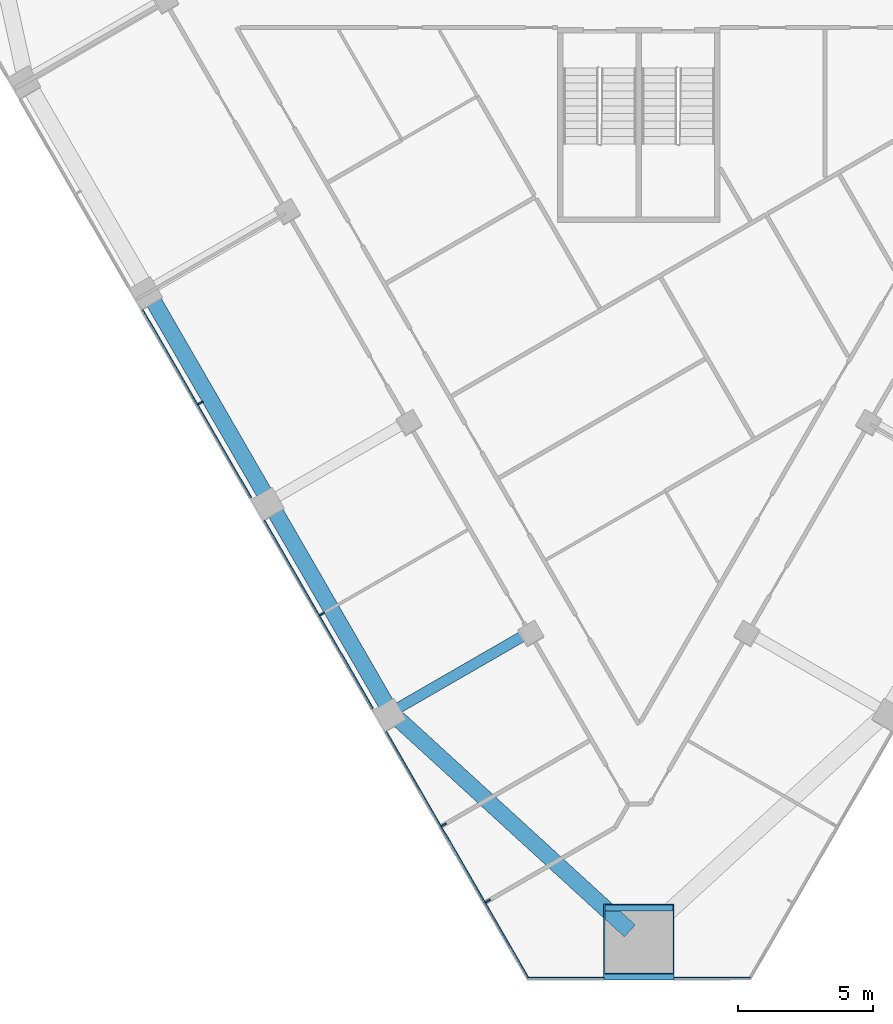
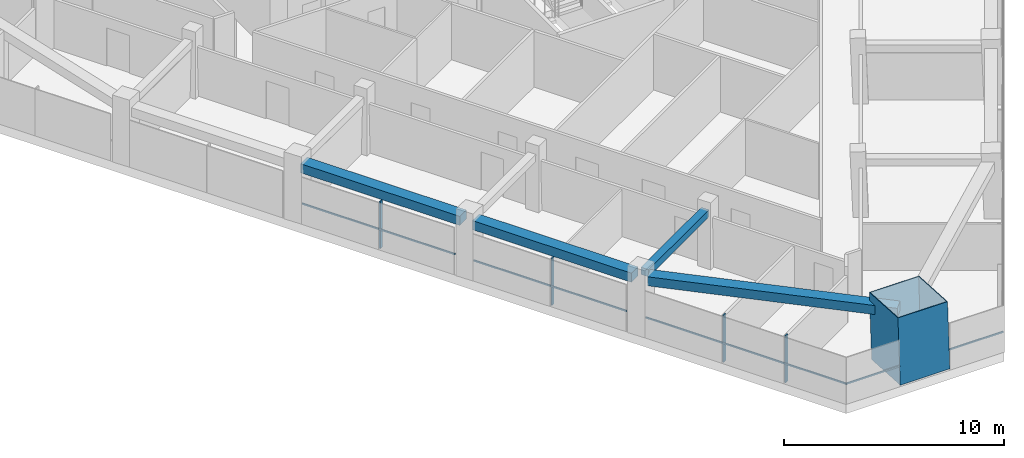
# One storey, part 2 of 14: 10 members, 4 beams, 2 elements without a shape of their own.
"""IFC4 building model written with IfcOpenShell, lengths in metres."""

from ifc_helpers import new_model, si_unit, direction, frame, origin, origin_2d, place, context, subcontext, project, spatial, rectangle, hollow_rectangle, extrude, material, layer, layer_set, material_profile, profile_set, type_object, element, aggregate, save


model = new_model("IFC4")

# Units and contexts
model_context = context("Model", 3, precision=1e-05, world=origin(), true_north=direction((0.0, 1.0)))
body_context = subcontext(model_context, "Body", "Model", "MODEL_VIEW")
ifc_project = project(units=[si_unit("LENGTHUNIT", "METRE"), si_unit("AREAUNIT", "SQUARE_METRE"), si_unit("VOLUMEUNIT", "CUBIC_METRE"), si_unit("PLANEANGLEUNIT", "RADIAN"), si_unit("MASSUNIT", "GRAM", prefix="KILO")], contexts=[model_context])

# Site, building, storey
site_placement = place(None, origin())
site = spatial("IfcSite", under=ifc_project, at=site_placement, CompositionType="ELEMENT")
building_placement = place(site_placement, origin())
building = spatial("IfcBuilding", under=site, at=building_placement, Name="Altiplano Prism Tower", CompositionType="ELEMENT")
storey_placement = place(building_placement, frame((0.0, 0.0, 108.0)))
storey = spatial("IfcBuildingStorey", under=building, at=storey_placement, Name="L27", CompositionType="ELEMENT", Elevation=108.0)

# Curtain wall, members
ifc_material_1 = material(Name="Aluminium and glass", Category="aluminium")
ifc_layer = layer(ifc_material_1, 0.303955078125)
ifc_layer_set = layer_set([ifc_layer], Name="Aluminium and glass")
curtain_wall_type = type_object("IfcCurtainWallType", Name="CW2 lounge-band unitised glazing", PredefinedType="NOTDEFINED", material=ifc_layer_set)
curtain_wall_1_placement = place(storey_placement, origin())
curtain_wall_1 = element("IfcCurtainWall", 1, at=curtain_wall_1_placement, inside=storey, type_object=curtain_wall_type, Name="CW2 curtain wall south-west face L27", PredefinedType="NOTDEFINED")
ifc_material_2 = material(Name="Aluminium", Category="aluminium")
ifc_material_profile_1 = material_profile(ifc_material_2, rectangle(XDim=0.199951171875, YDim=0.06005859375, at=origin_2d()), Name="CW2 mullion 60 x 200")
ifc_profile_set_1 = profile_set([ifc_material_profile_1], Name="Aluminium")
member_type_1 = type_object("IfcMemberType", Name="CW2 mullion 60 x 200", PredefinedType="MULLION", material=ifc_profile_set_1)
member_1_placement = place(storey_placement, frame((68.789794921875, 76.71923828125, 0.0), z_axis=(0.0, 0.0, 1.0), x_axis=(0.866025409675, 0.499999989797, 0.0)))
member_1 = element("IfcMember", 2, at=member_1_placement, type_object=member_type_1, Name="CW2 mullion", PredefinedType="MULLION", context=body_context, shape_type="SweptSolid", body=[
    extrude(rectangle(XDim=0.199951171875, YDim=0.06005859375, at=origin_2d()), origin(), (0.0, 0.0, 1.0), 2.60009765625),
])
member_2_placement = place(storey_placement, frame((73.289794921875, 68.925048828125, 0.0), z_axis=(0.0, 0.0, 1.0), x_axis=(0.866025409675, 0.499999989797, 0.0)))
member_2 = element("IfcMember", 3, at=member_2_placement, type_object=member_type_1, Name="CW2 mullion", PredefinedType="MULLION", context=body_context, shape_type="SweptSolid", body=[
    extrude(rectangle(XDim=0.199951171875, YDim=0.06005859375, at=origin_2d()), origin(), (0.0, 0.0, 1.0), 2.60009765625),
])
member_3_placement = place(storey_placement, frame((77.789794921875, 61.130859375, 0.0), z_axis=(0.0, 0.0, 1.0), x_axis=(0.866025409675, 0.499999989797, 0.0)))
member_3 = element("IfcMember", 4, at=member_3_placement, type_object=member_type_1, Name="CW2 mullion", PredefinedType="MULLION", context=body_context, shape_type="SweptSolid", body=[
    extrude(rectangle(XDim=0.199951171875, YDim=0.06005859375, at=origin_2d()), origin(), (0.0, 0.0, 1.0), 2.60009765625),
])
member_4_placement = place(storey_placement, frame((79.416259765625, 58.31396484375, 0.0), z_axis=(0.0, 0.0, 1.0), x_axis=(0.866025409675, 0.499999989797, 0.0)))
member_4 = element("IfcMember", 5, at=member_4_placement, type_object=member_type_1, Name="CW2 mullion", PredefinedType="MULLION", context=body_context, shape_type="SweptSolid", body=[
    extrude(rectangle(XDim=0.199951171875, YDim=0.06005859375, at=origin_2d()), origin(), (0.0, 0.0, 1.0), 2.60009765625),
])
ifc_material_profile_2 = material_profile(ifc_material_2, rectangle(XDim=0.06005859375, YDim=0.080078125, at=origin_2d()), Name="CW2 transom 80 x 60")
ifc_profile_set_2 = profile_set([ifc_material_profile_2], Name="Aluminium")
member_type_2 = type_object("IfcMemberType", Name="CW2 transom 80 x 60", PredefinedType="USERDEFINED", material=ifc_profile_set_2)
member_5_placement = place(storey_placement, frame((66.652587890625, 80.1611328125, 1.10009765625), z_axis=(0.500012318566, -0.86601829154, 0.0), x_axis=(0.86601829154, 0.500012318566, 0.0)))
member_5 = element("IfcMember", 6, at=member_5_placement, type_object=member_type_2, Name="CW2 transom", ObjectType="TRANSOM", PredefinedType="USERDEFINED", context=body_context, shape_type="SweptSolid", body=[
    extrude(rectangle(XDim=0.06005859375, YDim=0.080078125, at=origin_2d()), origin(), (0.0, 0.0, 1.0), 8.019775390625),
])
member_6_placement = place(storey_placement, frame((71.152587890625, 72.366943359375, 1.10009765625), z_axis=(0.499999136801, -0.866025902152, 0.0), x_axis=(0.866025902152, 0.499999136801, 0.0)))
member_6 = element("IfcMember", 7, at=member_6_placement, type_object=member_type_2, Name="CW2 transom", ObjectType="TRANSOM", PredefinedType="USERDEFINED", context=body_context, shape_type="SweptSolid", body=[
    extrude(rectangle(XDim=0.06005859375, YDim=0.080078125, at=origin_2d()), origin(), (0.0, 0.0, 1.0), 8.02001953125),
])
member_7_placement = place(storey_placement, frame((75.652587890625, 64.57275390625, 1.10009765625), z_axis=(0.500000102728, -0.866025344474, 0.0), x_axis=(0.866025344474, 0.500000102728, 0.0)))
member_7 = element("IfcMember", 8, at=member_7_placement, type_object=member_type_2, Name="CW2 transom", ObjectType="TRANSOM", PredefinedType="USERDEFINED", context=body_context, shape_type="SweptSolid", body=[
    extrude(rectangle(XDim=0.06005859375, YDim=0.080078125, at=origin_2d()), origin(), (0.0, 0.0, 1.0), 10.5546875),
])
aggregate(curtain_wall_1, [member_1, member_5, member_2, member_6, member_3, member_4, member_7])

curtain_wall_2_placement = place(storey_placement, origin())
curtain_wall_2 = element("IfcCurtainWall", 9, at=curtain_wall_2_placement, inside=storey, type_object=curtain_wall_type, Name="CW2 curtain wall south chamfer L27", PredefinedType="NOTDEFINED")
member_8_placement = place(storey_placement, frame((80.865966796875, 55.468994140625, 1.10009765625), z_axis=(1.0, 0.0, 0.0), x_axis=(0.0, 1.0, 0.0)))
member_8 = element("IfcMember", 10, at=member_8_placement, type_object=member_type_2, Name="CW2 transom", ObjectType="TRANSOM", PredefinedType="USERDEFINED", context=body_context, shape_type="SweptSolid", body=[
    extrude(rectangle(XDim=0.06005859375, YDim=0.080078125, at=origin_2d()), origin(), (0.0, 0.0, 1.0), 2.833984375),
])
member_9_placement = place(storey_placement, frame((86.300048828125, 55.468994140625, 1.10009765625), z_axis=(1.0, 0.0, 0.0), x_axis=(0.0, 1.0, 0.0)))
member_9 = element("IfcMember", 11, at=member_9_placement, type_object=member_type_2, Name="CW2 transom", ObjectType="TRANSOM", PredefinedType="USERDEFINED", context=body_context, shape_type="SweptSolid", body=[
    extrude(rectangle(XDim=0.06005859375, YDim=0.080078125, at=origin_2d()), origin(), (0.0, 0.0, 1.0), 2.833984375),
])
aggregate(curtain_wall_2, [member_8, member_9])

# Beams
ifc_material_3 = material(Name="Concrete C60/75", Category="concrete")
ifc_material_profile_3 = material_profile(ifc_material_3, rectangle(XDim=0.60009765625, YDim=0.5, at=origin_2d()), Name="Edge beam 600x500")
ifc_profile_set_3 = profile_set([ifc_material_profile_3], Name="Concrete C60/75")
beam_type_1 = type_object("IfcBeamType", Name="Edge beam 600x500", PredefinedType="SPANDREL", material=ifc_profile_set_3)
for number, where, z_axis, x_axis, name in (
    (12, (66.998046875, 80.592041015625, 2.85009765625), (0.500005422763, -0.866022272928, 0.0), (0.866022272928, 0.500005422763, 0.0), "Edge beam P12-P13 L28"),
    (13, (71.498046875, 72.7978515625, 2.85009765625), (0.499992746786, -0.866029591389, 0.0), (0.866029591389, 0.499992746786, 0.0), "Edge beam P13-P14 L28"),
):
    element("IfcBeam", number, at=place(storey_placement, frame(where, z_axis=z_axis, x_axis=x_axis)), inside=storey, type_object=beam_type_1, Name=name, PredefinedType="SPANDREL", context=body_context, shape_type="SweptSolid", body=[
        extrude(rectangle(XDim=0.60009765625, YDim=0.5, at=origin_2d()), origin(), (0.0, 0.0, 1.0), 8.33984375),
    ])
beam_1_placement = place(storey_placement, frame((76.0927734375, 65.052001953125, 2.85009765625), z_axis=(0.737917601321, -0.674890816104, 0.0), x_axis=(0.674890816104, 0.737917601321, 0.0)))
element("IfcBeam", 14, at=beam_1_placement, inside=storey, type_object=beam_type_1, Name="Edge beam P14-M1 L28", PredefinedType="SPANDREL", context=body_context, shape_type="SweptSolid", body=[
    extrude(rectangle(XDim=0.60009765625, YDim=0.5, at=origin_2d()), origin(), (0.0, 0.0, 1.0), 11.620849609375),
])

# Member
ifc_material_4 = material(Name="Steel S460", Category="steel")
ifc_material_profile_4 = material_profile(ifc_material_4, hollow_rectangle(XDim=2.60009765625, YDim=2.60009765625, WallThickness=0.0400390625, at=origin_2d()), Name="Mega column tube 2600")
ifc_profile_set_4 = profile_set([ifc_material_profile_4], Name="Steel S460")
member_type_3 = type_object("IfcMemberType", Name="Mega column tube 2600", PredefinedType="POST", material=ifc_profile_set_4)
member_10_placement = place(storey_placement, frame((85.0, 56.695068359375, 0.0), z_axis=(0.0, 0.058356907999, 0.998295783467), x_axis=(-1.0, 0.0, 0.0)))
element("IfcMember", 15, at=member_10_placement, inside=storey, type_object=member_type_3, Name="Mega column tube M1 L27", PredefinedType="POST", context=body_context, shape_type="SweptSolid", body=[
    extrude(hollow_rectangle(XDim=2.60009765625, YDim=2.60009765625, WallThickness=0.0400390625, at=origin_2d()), origin(), (0.0, 0.0, 1.0), 3.606201171875),
])

# Beam
ifc_material_profile_5 = material_profile(ifc_material_3, rectangle(XDim=0.39990234375, YDim=0.39990234375, at=origin_2d()), Name="Tie beam 400x400")
ifc_profile_set_5 = profile_set([ifc_material_profile_5], Name="Concrete C60/75")
beam_type_2 = type_object("IfcBeamType", Name="Tie beam 400x400", PredefinedType="BEAM", material=ifc_profile_set_5)
beam_2_placement = place(storey_placement, frame((80.873291015625, 68.199462890625, 2.89990234375), z_axis=(-0.866042665983, -0.499970099802, 0.0), x_axis=(0.499970099802, -0.866042665983, 0.0)))
element("IfcBeam", 16, at=beam_2_placement, inside=storey, type_object=beam_type_2, Name="Tie beam I14 L28", PredefinedType="BEAM", context=body_context, shape_type="SweptSolid", body=[
    extrude(rectangle(XDim=0.39990234375, YDim=0.39990234375, at=origin_2d()), origin(), (0.0, 0.0, 1.0), 5.489990234375),
])

save(model, "model.ifc")
